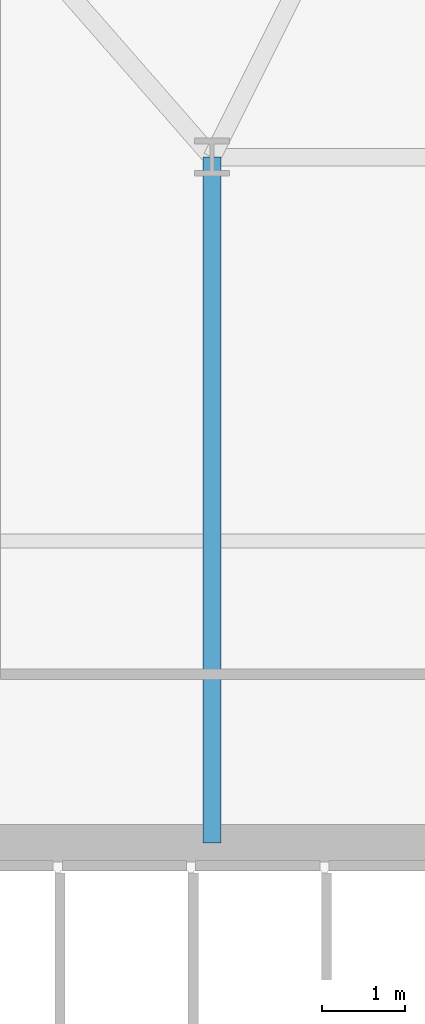
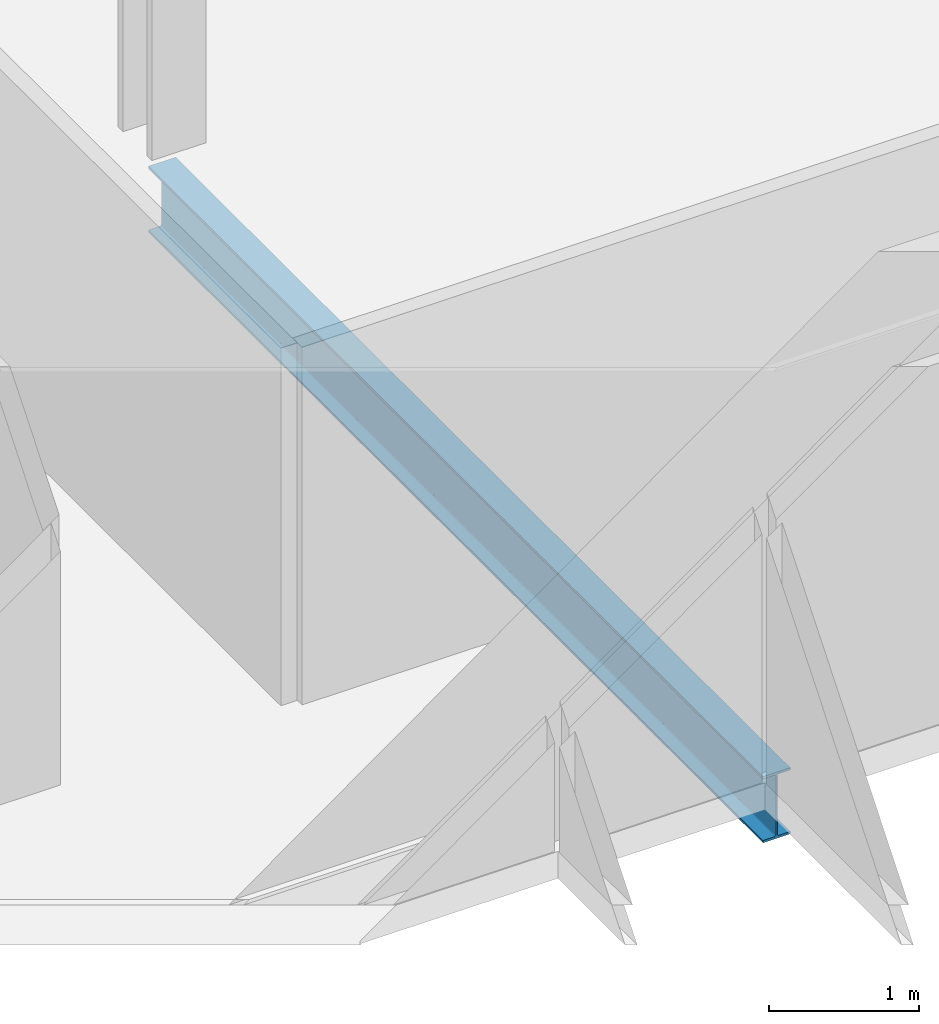
# One storey, part 6 of 32: 1 beam.
"""IFC4 building model written with IfcOpenShell, lengths in metres."""

from ifc_helpers import new_model, si_unit, direction, frame, origin, origin_2d, place, context, subcontext, project, spatial, i_section, extrude, material, material_profile, profile_set, type_object, element, save


model = new_model("IFC4")

# Units and contexts
model_context = context("Model", 3, precision=1e-05, world=origin(), true_north=direction((0.0, 1.0)))
body_context = subcontext(model_context, "Body", "Model", "MODEL_VIEW")
ifc_project = project(units=[si_unit("LENGTHUNIT", "METRE"), si_unit("AREAUNIT", "SQUARE_METRE"), si_unit("VOLUMEUNIT", "CUBIC_METRE"), si_unit("PLANEANGLEUNIT", "RADIAN"), si_unit("MASSUNIT", "GRAM", prefix="KILO")], contexts=[model_context])

# Site, building, storey
site_placement = place(None, origin())
site = spatial("IfcSite", under=ifc_project, at=site_placement, CompositionType="ELEMENT")
building_placement = place(site_placement, origin())
building = spatial("IfcBuilding", under=site, at=building_placement, Name="Ndaravel Arena Tower", CompositionType="ELEMENT")
storey_placement = place(building_placement, frame((0.0, 0.0, 96.800048828125)))
storey = spatial("IfcBuildingStorey", under=building, at=storey_placement, Name="L22", CompositionType="ELEMENT", Elevation=96.800048828125)

# Beam
ifc_material = material(Name="Steel S355", Category="steel")
ifc_material_profile = material_profile(ifc_material, i_section(OverallWidth=0.210693359375, OverallDepth=0.53955078125, WebThickness=0.01171875, FlangeThickness=0.018798828125, FilletRadius=0.0126953125, at=origin_2d()), Name="UB 533x210x109")
ifc_profile_set = profile_set([ifc_material_profile], Name="Steel S355")
beam_type = type_object("IfcBeamType", Name="BM-GIRD-UB533", PredefinedType="BEAM", material=ifc_profile_set)
beam_placement = place(storey_placement, frame((34.199951171875, 14.97998046875, -0.48974609375), z_axis=(0.0, 1.0, 0.0), x_axis=(-1.0, 0.0, 0.0)))
element("IfcBeam", 1, at=beam_placement, inside=storey, type_object=beam_type, Name="L22 Spine Link Girder SLG-01", PredefinedType="BEAM", context=body_context, shape_type="SweptSolid", body=[
    extrude(i_section(OverallWidth=0.210693359375, OverallDepth=0.53955078125, WebThickness=0.01171875, FlangeThickness=0.018798828125, FilletRadius=0.0126953125, at=origin_2d()), origin(), (0.0, 0.0, 1.0), 8.219970703125),
])

save(model, "model.ifc")
